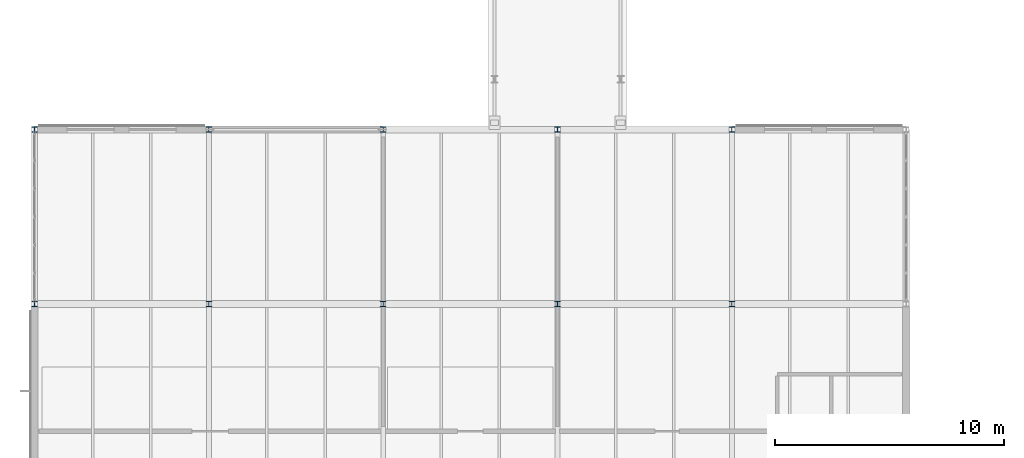
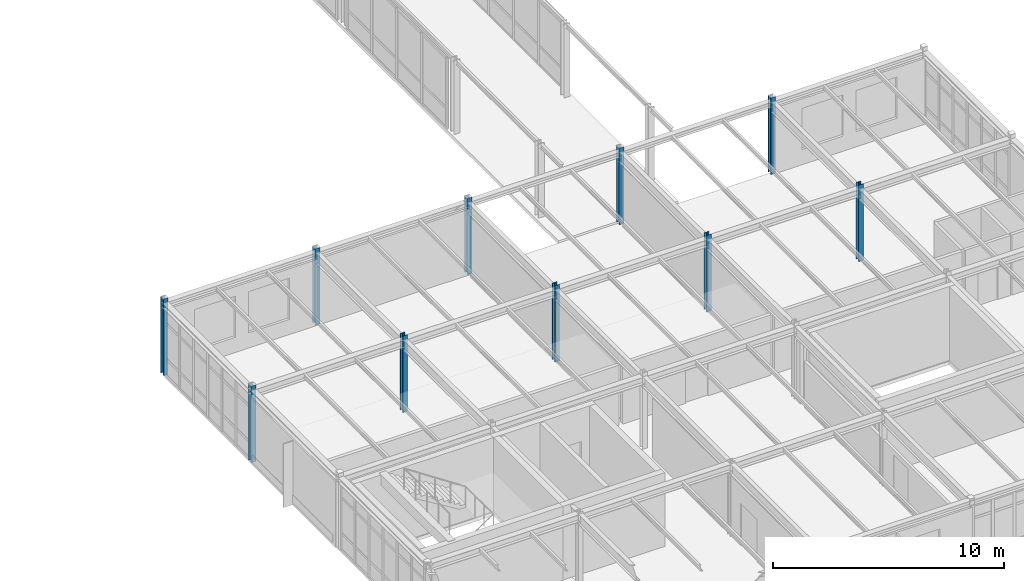
# One storey, part 2 of 189: 10 columns.
"""IFC4 building model written with IfcOpenShell, lengths in metres."""

from ifc_helpers import new_model, si_unit, direction, frame, origin, origin_2d, place, context, subcontext, project, spatial, i_section, extrude, material, material_profile, profile_set, type_object, element, save


model = new_model("IFC4")

# Units and contexts
model_context = context("Model", 3, precision=1e-05, world=origin(), true_north=direction((0.0, 1.0)))
body_context = subcontext(model_context, "Body", "Model", "MODEL_VIEW")
ifc_project = project(units=[si_unit("LENGTHUNIT", "METRE"), si_unit("AREAUNIT", "SQUARE_METRE"), si_unit("VOLUMEUNIT", "CUBIC_METRE"), si_unit("PLANEANGLEUNIT", "RADIAN"), si_unit("MASSUNIT", "GRAM", prefix="KILO")], contexts=[model_context])

# Site, building, storey
site_placement = place(None, origin())
site = spatial("IfcSite", under=ifc_project, at=site_placement, CompositionType="ELEMENT")
building_placement = place(site_placement, origin())
building = spatial("IfcBuilding", under=site, at=building_placement, Name="Montecoro Central Library", CompositionType="ELEMENT")
storey_placement = place(building_placement, frame((0.0, 0.0, 9.179931640625)))
storey = spatial("IfcBuildingStorey", under=building, at=storey_placement, Name="L02", CompositionType="ELEMENT", Elevation=9.179931640625)

# Columns
ifc_material = material(Name="Steel S355", Category="steel")
ifc_material_profile = material_profile(ifc_material, i_section(OverallWidth=0.239990234375, OverallDepth=0.239990234375, WebThickness=0.010009765625, FlangeThickness=0.01708984375, at=origin_2d()), Name="HEB 240")
ifc_profile_set = profile_set([ifc_material_profile], Name="Steel S355")
column_type = type_object("IfcColumnType", Name="COL-HEB240", PredefinedType="COLUMN", material=ifc_profile_set)
for number, where, z_axis, x_axis, name in (
    (1, (5.0, 27.800048828125, 0.0), (0.0, 0.0, 1.0), (1.0, 0.0, 0.0), "V3-L02-COL-1-D"),
    (2, (5.0, 35.39990234375, 0.0), (0.0, 0.0, 1.0), (1.0, 0.0, 0.0), "V3-L02-COL-1-E"),
    (3, (12.60009765625, 27.800048828125, 0.0), (0.0, 0.0, 1.0), (1.0, 0.0, 0.0), "V3-L02-COL-2-D"),
    (4, (12.60009765625, 35.39990234375, 0.0), (0.0, 0.0, 1.0), (1.0, 0.0, 0.0), "V3-L02-COL-2-E"),
    (5, (20.199951171875, 27.800048828125, 0.0), (0.0, 0.0, 1.0), (1.0, 0.0, 0.0), "V3-L02-COL-3-D"),
    (6, (20.199951171875, 35.39990234375, 0.0), (0.0, 0.0, 1.0), (1.0, 0.0, 0.0), "V3-L02-COL-3-E"),
    (7, (27.800048828125, 27.800048828125, 0.0), (0.0, 0.0, 1.0), (1.0, 0.0, 0.0), "V3-L02-COL-4-D"),
    (8, (27.800048828125, 35.39990234375, 0.0), (0.0, 0.0, 1.0), (1.0, 0.0, 0.0), "V3-L02-COL-4-E"),
    (9, (35.39990234375, 27.800048828125, 0.0), (0.0, 0.0, 1.0), (1.0, 0.0, 0.0), "V3-L02-COL-5-D"),
    (10, (35.39990234375, 35.39990234375, 0.0), (0.0, 0.0, 1.0), (1.0, 0.0, 0.0), "V3-L02-COL-5-E"),
):
    element("IfcColumn", number, at=place(storey_placement, frame(where, z_axis=z_axis, x_axis=x_axis)), inside=storey, type_object=column_type, Name=name, PredefinedType="COLUMN", context=body_context, shape_type="SweptSolid", body=[
        extrude(i_section(OverallWidth=0.239990234375, OverallDepth=0.239990234375, WebThickness=0.010009765625, FlangeThickness=0.01708984375, at=origin_2d()), origin(), (0.0, 0.0, 1.0), 4.0400390625),
    ])

save(model, "model.ifc")
